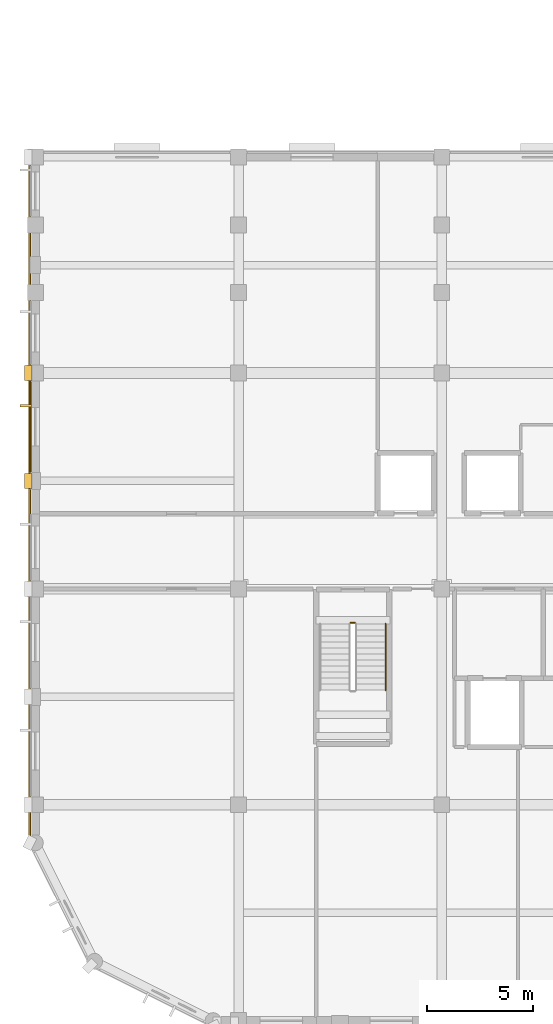
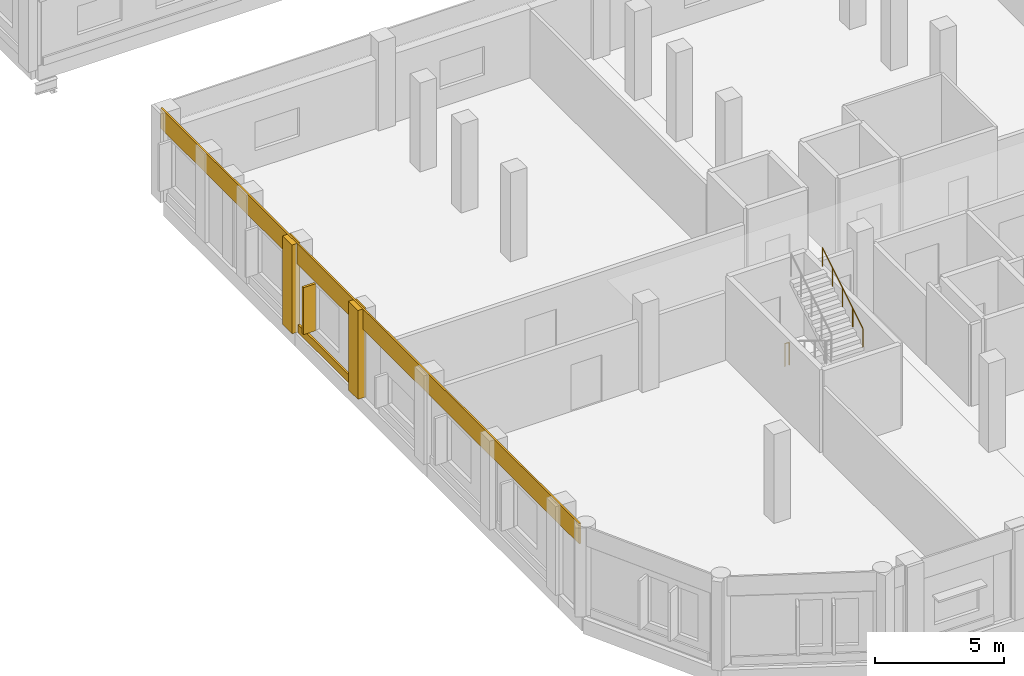
# One storey, part 153 of 170: 4 coverings, 2 railings, 1 shading device.
"""IFC4 building model written with IfcOpenShell, lengths in metres."""

from ifc_helpers import new_model, si_unit, direction, frame, origin, origin_2d, place, context, subcontext, project, spatial, rectangle, circle, extrude, material, layer, layer_set, type_object, element, save


model = new_model("IFC4")

# Units and contexts
model_context = context("Model", 3, precision=1e-05, world=origin(), true_north=direction((0.0, 1.0)))
body_context = subcontext(model_context, "Body", "Model", "MODEL_VIEW")
ifc_project = project(units=[si_unit("LENGTHUNIT", "METRE"), si_unit("AREAUNIT", "SQUARE_METRE"), si_unit("VOLUMEUNIT", "CUBIC_METRE"), si_unit("PLANEANGLEUNIT", "RADIAN"), si_unit("MASSUNIT", "GRAM", prefix="KILO")], contexts=[model_context])

# Site, building, storey
site_placement = place(None, origin())
site = spatial("IfcSite", under=ifc_project, at=site_placement, CompositionType="ELEMENT")
building_placement = place(site_placement, origin())
building = spatial("IfcBuilding", under=site, at=building_placement, Name="Vondelvale Polytechnic", CompositionType="ELEMENT")
storey_placement = place(building_placement, frame((0.0, 0.0, 5.39990234375)))
storey = spatial("IfcBuildingStorey", under=building, at=storey_placement, Name="L01", CompositionType="ELEMENT", Elevation=5.39990234375)

# Coverings
ifc_material_1 = material(Name="Malmsbury bluestone ashlar stone masonry", Category="masonry")
ifc_layer_1 = layer(ifc_material_1, 0.080078125)
ifc_layer_set_1 = layer_set([ifc_layer_1], Name="COV-BLUESTONE-PLINTH")
covering_type_1 = type_object("IfcCoveringType", Name="COV-BLUESTONE-PLINTH", PredefinedType="CLADDING", material=ifc_layer_set_1)
covering_1_placement = place(storey_placement, frame((-0.260009765625, 24.60009765625, 3.240234375), z_axis=(0.0, 0.0, 1.0), x_axis=(0.0, 1.0, 0.0)))
element("IfcCovering", 1, at=covering_1_placement, inside=storey, type_object=covering_type_1, Name="L01 exterior masonry spandrel band", PredefinedType="CLADDING", context=body_context, shape_type="SweptSolid", body=[
    extrude(rectangle(XDim=32.39990234375, YDim=0.080078125, at=origin_2d()), origin(), (0.0, 0.0, 1.0), 0.9599609375),
])
ifc_material_2 = material(Name="Amsterdam School iron-spot clinker clay brickwork", Category="masonry")
ifc_layer_2 = layer(ifc_material_2, 0.090087890625)
ifc_layer_set_2 = layer_set([ifc_layer_2], Name="COV-BRICK-RELIEF")
covering_type_2 = type_object("IfcCoveringType", Name="COV-BRICK-RELIEF", PredefinedType="CLADDING", material=ifc_layer_set_2)
covering_2_placement = place(storey_placement, frame((-0.23095703125, 28.0625, 0.000244140625), z_axis=(0.0, 0.0, 1.0), x_axis=(0.0, 1.0, 0.0)))
element("IfcCovering", 2, at=covering_2_placement, inside=storey, type_object=covering_type_2, Name="L01 exterior corbelled masonry relief band", PredefinedType="CLADDING", context=body_context, shape_type="SweptSolid", body=[
    extrude(rectangle(XDim=4.262939453125, YDim=0.090087890625, at=origin_2d()), origin(), (0.0, 0.0, 1.0), 0.3798828125),
])
for number, where, z_axis, x_axis, name in (
    (3, (-0.340087890625, 25.5, 0.0), (0.0, 0.0, 1.0), (1.0, 0.0, 0.0), "L01 Classical street pilaster"),
    (4, (-0.340087890625, 30.60009765625, 0.0), (0.0, 0.0, 1.0), (1.0, 0.0, 0.0), "L01 Classical street pilaster"),
):
    element("IfcCovering", number, at=place(storey_placement, frame(where, z_axis=z_axis, x_axis=x_axis)), inside=storey, type_object=covering_type_2, Name=name, PredefinedType="CLADDING", context=body_context, shape_type="SweptSolid", body=[
        extrude(rectangle(XDim=0.360107421875, YDim=0.719970703125, at=origin_2d()), origin(), (0.0, 0.0, 1.0), 4.199951171875),
    ])

# Railings
ifc_material_3 = material(Name="Brushed architectural stainless and zinc-coated metal")
ifc_layer_3 = layer(ifc_material_3, 0.050048828125)
ifc_layer_set_3 = layer_set([ifc_layer_3], Name="RL-STAIR-GUARD")
railing_type_1 = type_object("IfcRailingType", Name="RL-STAIR-GUARD", PredefinedType="GUARDRAIL", material=ifc_layer_set_3)
railing_1_placement = place(storey_placement, frame((14.89990234375, 18.800048828125, 0.0)))
element("IfcRailing", 5, at=railing_1_placement, inside=storey, type_object=railing_type_1, Name="L01 ST-03 stair guard 4", PredefinedType="GUARDRAIL", context=body_context, shape_type="SweptSolid", body=[
    extrude(circle(Radius=0.02392578125, at=origin_2d()), frame((0.0, 0.0, 1.076171875), z_axis=(1.0, 0.0, 0.0), x_axis=(0.0, 1.0, 0.0)), (0.0, 0.0, 1.0), 0.2001953125),
    extrude(circle(Radius=0.02099609375, at=origin_2d()), origin(), (0.0, 0.0, 1.0), 1.052001953125),
    extrude(circle(Radius=0.02099609375, at=origin_2d()), frame((0.2001953125, 0.0, 0.0)), (0.0, 0.0, 1.0), 1.052001953125),
])
ifc_layer_4 = layer(ifc_material_3, 0.048095703125)
ifc_layer_set_4 = layer_set([ifc_layer_4], Name="RL-STAIR-HANDRAIL")
railing_type_2 = type_object("IfcRailingType", Name="RL-STAIR-HANDRAIL", PredefinedType="HANDRAIL", material=ifc_layer_set_4)
railing_2_placement = place(storey_placement, frame((16.550048828125, 15.614990234375, 2.275146484375)))
element("IfcRailing", 6, at=railing_2_placement, inside=storey, type_object=railing_type_2, Name="L01 ST-03 stair handrail 2", PredefinedType="HANDRAIL", context=body_context, shape_type="SweptSolid", body=[
    extrude(circle(Radius=0.02392578125, at=origin_2d()), frame((0.0, 0.0, 0.8759765625), z_axis=(0.0, 0.852166034122, 0.523271488128), x_axis=(-1.0, 0.0, 0.0)), (0.0, 0.0, 1.0), 3.678955078125),
    extrude(circle(Radius=0.02099609375, at=origin_2d()), origin(), (0.0, 0.0, 1.0), 0.851806640625),
    extrude(circle(Radius=0.02099609375, at=origin_2d()), frame((0.0, 0.78369140625, 0.481201171875)), (0.0, 0.0, 1.0), 0.851806640625),
    extrude(circle(Radius=0.02099609375, at=origin_2d()), frame((0.0, 1.5673828125, 0.96240234375)), (0.0, 0.0, 1.0), 0.851806640625),
    extrude(circle(Radius=0.02099609375, at=origin_2d()), frame((0.0, 2.351318359375, 1.44384765625)), (0.0, 0.0, 1.0), 0.851806640625),
    extrude(circle(Radius=0.02099609375, at=origin_2d()), frame((0.0, 3.135009765625, 1.925048828125)), (0.0, 0.0, 1.0), 0.851806640625),
])

# Shading device
ifc_material_4 = material(Name="Kiln-fired architectural terracotta", Category="masonry")
shading_device_type = type_object("IfcShadingDeviceType", Name="SHD-TERRA-FIN-550", PredefinedType="JALOUSIE", material=ifc_material_4)
shading_device_placement = place(storey_placement, frame((-0.449951171875, 29.052490234375, 0.7900390625), z_axis=(0.0, 0.0, 1.0), x_axis=(0.0, 1.0, 0.0)))
element("IfcShadingDevice", 7, at=shading_device_placement, inside=storey, type_object=shading_device_type, Name="L01 vertical terracotta solar fin", PredefinedType="JALOUSIE", context=body_context, shape_type="SweptSolid", body=[
    extrude(rectangle(XDim=0.110107421875, YDim=0.550048828125, at=origin_2d()), origin(), (0.0, 0.0, 1.0), 2.219970703125),
])

save(model, "model.ifc")
